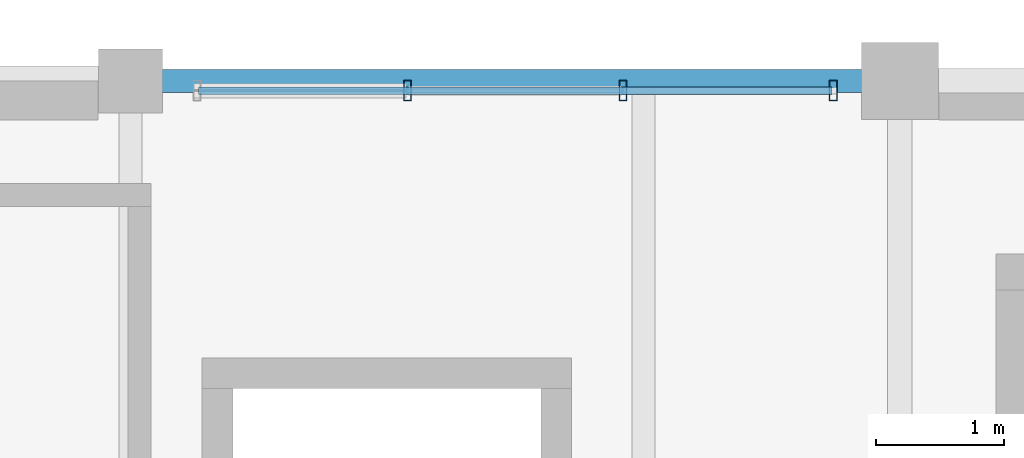
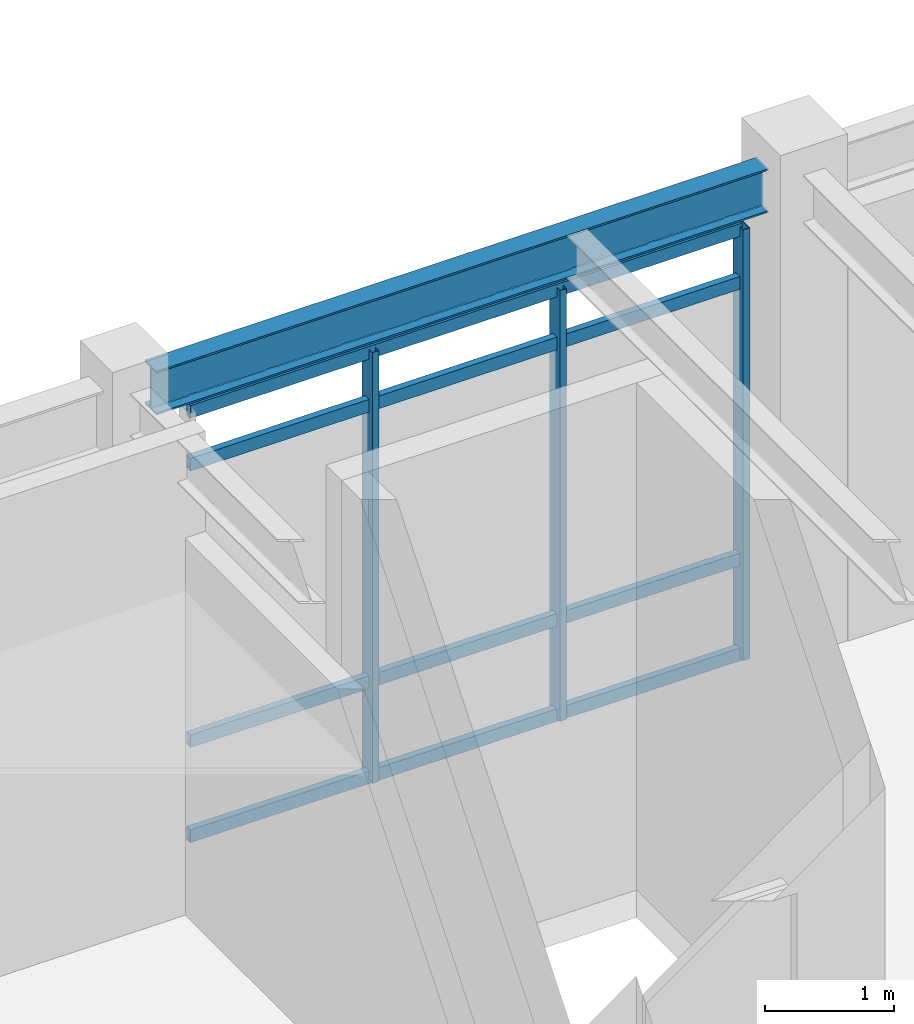
# One storey, part 152 of 200: 7 members, 1 beam, 1 element without a shape of its own.
"""IFC4 building model written with IfcOpenShell, lengths in metres."""

from ifc_helpers import new_model, si_unit, direction, frame, origin, origin_2d, place, context, subcontext, project, spatial, hollow_rectangle, i_section, extrude, material, material_profile, profile_set, type_object, element, aggregate, save


model = new_model("IFC4")

# Units and contexts
model_context = context("Model", 3, precision=1e-05, world=origin(), true_north=direction((0.0, 1.0)))
body_context = subcontext(model_context, "Body", "Model", "MODEL_VIEW")
ifc_project = project(units=[si_unit("LENGTHUNIT", "METRE"), si_unit("AREAUNIT", "SQUARE_METRE"), si_unit("VOLUMEUNIT", "CUBIC_METRE"), si_unit("PLANEANGLEUNIT", "RADIAN"), si_unit("MASSUNIT", "GRAM", prefix="KILO"), si_unit("THERMODYNAMICTEMPERATUREUNIT", "KELVIN"), si_unit("POWERUNIT", "WATT")], contexts=[model_context])

# Site, building, storey
site_placement = place(None, origin())
site = spatial("IfcSite", under=ifc_project, at=site_placement, CompositionType="ELEMENT")
building_placement = place(site_placement, origin())
building = spatial("IfcBuilding", under=site, at=building_placement, Name="Tepalcoro Natatorium and Aquatics Centre", CompositionType="ELEMENT")
storey_placement = place(building_placement, frame((0.0, 0.0, 5.39990234375)))
storey = spatial("IfcBuildingStorey", under=building, at=storey_placement, Name="L01", CompositionType="ELEMENT", Elevation=5.39990234375)

# Curtain wall, members
ifc_material_1 = material(Name="Bronze-Anodised Extruded Aluminium Alloy EN AW-6063 T6", Category="aluminium")
curtain_wall_type = type_object("IfcCurtainWallType", Name="CW_V4_VILLAGE", PredefinedType="USERDEFINED", material=ifc_material_1)
curtain_wall_placement = place(storey_placement, origin())
curtain_wall = element("IfcCurtainWall", 1, at=curtain_wall_placement, inside=storey, type_object=curtain_wall_type, Name="V5 L01 N Unitised Curtain Wall Bay 8", ObjectType="UNITISED STOREFRONT", PredefinedType="USERDEFINED")
ifc_material_profile_1 = material_profile(ifc_material_1, hollow_rectangle(XDim=0.06005859375, YDim=0.159912109375, WallThickness=0.00390625, at=origin_2d()), Name="AL60X160X4")
ifc_profile_set_1 = profile_set([ifc_material_profile_1], Name="Bronze-Anodised Extruded Aluminium Alloy EN AW-6063 T6")
member_type_1 = type_object("IfcMemberType", Name="CW_MUL_60x160", PredefinedType="MULLION", material=ifc_profile_set_1)
member_1_placement = place(storey_placement, frame((161.159912109375, 117.923828125, 0.02001953125), z_axis=(0.0, 0.0, 1.0), x_axis=(1.0, 0.0, 0.0)))
member_1 = element("IfcMember", 2, at=member_1_placement, type_object=member_type_1, Name="CW_V4_VILLAGE Curtain Wall Mullion", PredefinedType="MULLION", context=body_context, shape_type="SweptSolid", body=[
    extrude(hollow_rectangle(XDim=0.06005859375, YDim=0.159912109375, WallThickness=0.00390625, at=origin_2d()), origin(), (0.0, 0.0, 1.0), 4.0771484375),
])
member_2_placement = place(storey_placement, frame((162.840087890625, 117.923828125, 0.02001953125), z_axis=(0.0, 0.0, 1.0), x_axis=(1.0, 0.0, 0.0)))
member_2 = element("IfcMember", 3, at=member_2_placement, type_object=member_type_1, Name="CW_V4_VILLAGE Curtain Wall Mullion", PredefinedType="MULLION", context=body_context, shape_type="SweptSolid", body=[
    extrude(hollow_rectangle(XDim=0.06005859375, YDim=0.159912109375, WallThickness=0.00390625, at=origin_2d()), origin(), (0.0, 0.0, 1.0), 4.0771484375),
])
member_3_placement = place(storey_placement, frame((164.47998046875, 117.923828125, 0.02001953125), z_axis=(0.0, 0.0, 1.0), x_axis=(1.0, 0.0, 0.0)))
member_3 = element("IfcMember", 4, at=member_3_placement, type_object=member_type_1, Name="CW_V4_VILLAGE Curtain Wall Mullion", PredefinedType="MULLION", context=body_context, shape_type="SweptSolid", body=[
    extrude(hollow_rectangle(XDim=0.06005859375, YDim=0.159912109375, WallThickness=0.00390625, at=origin_2d()), origin(), (0.0, 0.0, 1.0), 4.0771484375),
])
ifc_material_profile_2 = material_profile(ifc_material_1, hollow_rectangle(XDim=0.06005859375, YDim=0.1201171875, WallThickness=0.00390625, at=origin_2d()), Name="AL60X120X4")
ifc_profile_set_2 = profile_set([ifc_material_profile_2], Name="Bronze-Anodised Extruded Aluminium Alloy EN AW-6063 T6")
member_type_2 = type_object("IfcMemberType", Name="CW_TRN_60x120", PredefinedType="USERDEFINED", material=ifc_profile_set_2)
member_4_placement = place(storey_placement, frame((159.530029296875, 117.923828125, 0.050048828125), z_axis=(1.0, 0.0, 0.0), x_axis=(0.0, 1.0, 0.0)))
member_4 = element("IfcMember", 5, at=member_4_placement, type_object=member_type_2, Name="CW_V4_VILLAGE Curtain Wall Transom", ObjectType="TRANSOM", PredefinedType="USERDEFINED", context=body_context, shape_type="SweptSolid", body=[
    extrude(hollow_rectangle(XDim=0.06005859375, YDim=0.1201171875, WallThickness=0.00390625, at=origin_2d()), origin(), (0.0, 0.0, 1.0), 4.93994140625),
])
member_5_placement = place(storey_placement, frame((159.530029296875, 117.923828125, 0.9501953125), z_axis=(1.0, 0.0, 0.0), x_axis=(0.0, 1.0, 0.0)))
member_5 = element("IfcMember", 6, at=member_5_placement, type_object=member_type_2, Name="CW_V4_VILLAGE Curtain Wall Transom", ObjectType="TRANSOM", PredefinedType="USERDEFINED", context=body_context, shape_type="SweptSolid", body=[
    extrude(hollow_rectangle(XDim=0.06005859375, YDim=0.1201171875, WallThickness=0.00390625, at=origin_2d()), origin(), (0.0, 0.0, 1.0), 4.93994140625),
])
member_6_placement = place(storey_placement, frame((159.530029296875, 117.923828125, 3.567138671875), z_axis=(1.0, 0.0, 0.0), x_axis=(0.0, 1.0, 0.0)))
member_6 = element("IfcMember", 7, at=member_6_placement, type_object=member_type_2, Name="CW_V4_VILLAGE Curtain Wall Transom", ObjectType="TRANSOM", PredefinedType="USERDEFINED", context=body_context, shape_type="SweptSolid", body=[
    extrude(hollow_rectangle(XDim=0.06005859375, YDim=0.1201171875, WallThickness=0.00390625, at=origin_2d()), origin(), (0.0, 0.0, 1.0), 4.93994140625),
])
member_7_placement = place(storey_placement, frame((159.530029296875, 117.923828125, 4.067138671875), z_axis=(1.0, 0.0, 0.0), x_axis=(0.0, 1.0, 0.0)))
member_7 = element("IfcMember", 8, at=member_7_placement, type_object=member_type_2, Name="CW_V4_VILLAGE Curtain Wall Transom", ObjectType="TRANSOM", PredefinedType="USERDEFINED", context=body_context, shape_type="SweptSolid", body=[
    extrude(hollow_rectangle(XDim=0.06005859375, YDim=0.1201171875, WallThickness=0.00390625, at=origin_2d()), origin(), (0.0, 0.0, 1.0), 4.93994140625),
])
aggregate(curtain_wall, [member_1, member_2, member_3, member_4, member_5, member_6, member_7])

# Beam
ifc_material_2 = material(Name="Steel ASTM A992 Grade 50 (Fy 345 MPa)", Category="steel")
ifc_material_profile_3 = material_profile(ifc_material_2, i_section(OverallWidth=0.179931640625, OverallDepth=0.4130859375, WebThickness=0.010009765625, FlangeThickness=0.01611328125, FilletRadius=0.013916015625, at=origin_2d()), Name="W16X50")
ifc_profile_set_3 = profile_set([ifc_material_profile_3], Name="Steel ASTM A992 Grade 50 (Fy 345 MPa)")
beam_type = type_object("IfcBeamType", Name="SP_HSS300x200x12", PredefinedType="SPANDREL", material=ifc_profile_set_3)
beam_placement = place(storey_placement, frame((159.235107421875, 118.0, 4.338623046875), z_axis=(1.0, 0.0, 0.0), x_axis=(0.0, 1.0, 0.0)))
element("IfcBeam", 9, at=beam_placement, inside=storey, type_object=beam_type, Name="V5 L01 Grid Girder X", PredefinedType="SPANDREL", context=body_context, shape_type="SweptSolid", body=[
    extrude(i_section(OverallWidth=0.179931640625, OverallDepth=0.4130859375, WebThickness=0.010009765625, FlangeThickness=0.01611328125, FilletRadius=0.013916015625, at=origin_2d()), origin(), (0.0, 0.0, 1.0), 5.47998046875),
])

save(model, "model.ifc")
